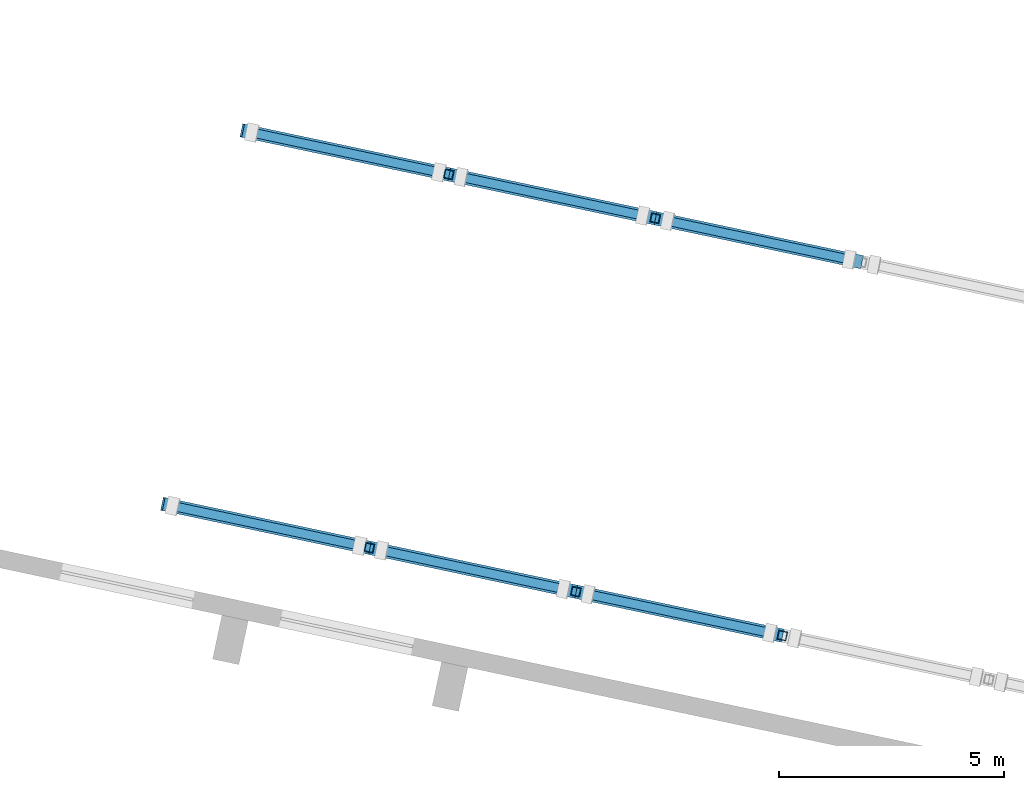
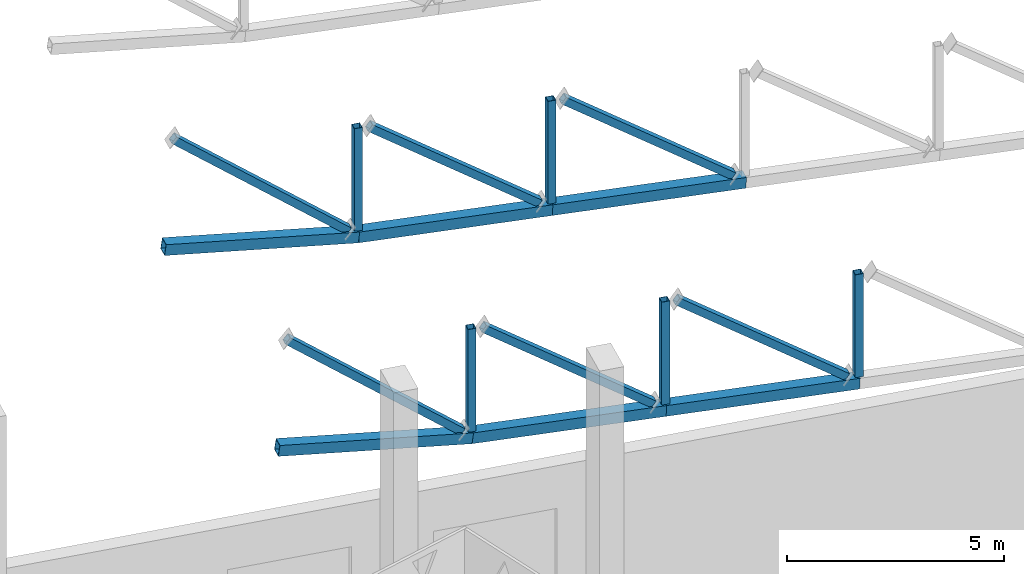
# One storey, part 59 of 182: 17 members.
"""IFC4 building model written with IfcOpenShell, lengths in metres."""

from ifc_helpers import new_model, si_unit, direction, frame, origin, origin_2d, place, context, subcontext, project, spatial, hollow_rectangle, extrude, material, material_profile, profile_set, type_object, element, save


model = new_model("IFC4")

# Units and contexts
model_context = context("Model", 3, precision=1e-05, world=origin(), true_north=direction((0.0, 1.0)))
body_context = subcontext(model_context, "Body", "Model", "MODEL_VIEW")
ifc_project = project(units=[si_unit("LENGTHUNIT", "METRE"), si_unit("AREAUNIT", "SQUARE_METRE"), si_unit("VOLUMEUNIT", "CUBIC_METRE"), si_unit("PLANEANGLEUNIT", "RADIAN"), si_unit("MASSUNIT", "GRAM", prefix="KILO")], contexts=[model_context])

# Site, building, storey
site_placement = place(None, origin())
site = spatial("IfcSite", under=ifc_project, at=site_placement, CompositionType="ELEMENT")
building_placement = place(site_placement, origin())
building = spatial("IfcBuilding", under=site, at=building_placement, Name="Okhra Congress Centre", CompositionType="ELEMENT")
storey_placement = place(building_placement, frame((0.0, 0.0, 7.199951171875)))
storey = spatial("IfcBuildingStorey", under=building, at=storey_placement, Name="L01", CompositionType="ELEMENT", Elevation=7.199951171875)

# Members
ifc_material = material(Name="Steel S355J2", Category="steel")
ifc_material_profile_1 = material_profile(ifc_material, hollow_rectangle(XDim=0.300048828125, YDim=0.300048828125, WallThickness=0.01611328125, at=origin_2d()), Name="RHS 300x300x16")
ifc_profile_set_1 = profile_set([ifc_material_profile_1], Name="Steel S355J2")
member_type_1 = type_object("IfcMemberType", Name="Steel truss chord RHS 300x300x16", PredefinedType="CHORD", material=ifc_profile_set_1)
member_1_placement = place(storey_placement, frame((213.741455078125, 92.74267578125, 5.2041015625), z_axis=(0.968629274242, -0.205906376974, -0.139139832554), x_axis=(0.207928955205, 0.978143930916, 0.0)))
element("IfcMember", 1, at=member_1_placement, inside=storey, type_object=member_type_1, Name="Hall truss 1 bottom chord 4", PredefinedType="CHORD", context=body_context, shape_type="SweptSolid", body=[
    extrude(hollow_rectangle(XDim=0.300048828125, YDim=0.300048828125, WallThickness=0.01611328125, at=origin_2d()), origin(), (0.0, 0.0, 1.0), 4.746337890625),
])
member_2_placement = place(storey_placement, frame((218.3388671875, 91.765380859375, 4.543701171875), z_axis=(0.976813785854, -0.20759432696, -0.052339499226), x_axis=(0.207879256857, 0.978154494223, 0.0)))
element("IfcMember", 2, at=member_2_placement, inside=storey, type_object=member_type_1, Name="Hall truss 1 bottom chord 5", PredefinedType="CHORD", context=body_context, shape_type="SweptSolid", body=[
    extrude(hollow_rectangle(XDim=0.300048828125, YDim=0.300048828125, WallThickness=0.01611328125, at=origin_2d()), origin(), (0.0, 0.0, 1.0), 4.70654296875),
])
member_3_placement = place(storey_placement, frame((222.936279296875, 90.788330078125, 4.29736328125), z_axis=(0.976800887128, -0.207654484927, -0.052341587632), x_axis=(0.207939520185, 0.978141685005, 0.0)))
element("IfcMember", 3, at=member_3_placement, inside=storey, type_object=member_type_1, Name="Hall truss 1 bottom chord 6", PredefinedType="CHORD", context=body_context, shape_type="SweptSolid", body=[
    extrude(hollow_rectangle(XDim=0.300048828125, YDim=0.300048828125, WallThickness=0.01611328125, at=origin_2d()), origin(), (0.0, 0.0, 1.0), 4.706298828125),
])
member_4_placement = place(storey_placement, frame((215.5087890625, 101.056884765625, 5.2041015625), z_axis=(0.968639532279, -0.205857119015, -0.139141306081), x_axis=(0.207879256857, 0.978154494223, 0.0)))
element("IfcMember", 4, at=member_4_placement, inside=storey, type_object=member_type_1, Name="Hall truss 2 bottom chord 4", PredefinedType="CHORD", context=body_context, shape_type="SweptSolid", body=[
    extrude(hollow_rectangle(XDim=0.300048828125, YDim=0.300048828125, WallThickness=0.01611328125, at=origin_2d()), origin(), (0.0, 0.0, 1.0), 4.746337890625),
])
member_5_placement = place(storey_placement, frame((220.106201171875, 100.079833984375, 4.543701171875), z_axis=(0.976800887128, -0.207654484927, -0.052341587632), x_axis=(0.207939520185, 0.978141685005, 0.0)))
element("IfcMember", 5, at=member_5_placement, inside=storey, type_object=member_type_1, Name="Hall truss 2 bottom chord 5", PredefinedType="CHORD", context=body_context, shape_type="SweptSolid", body=[
    extrude(hollow_rectangle(XDim=0.300048828125, YDim=0.300048828125, WallThickness=0.01611328125, at=origin_2d()), origin(), (0.0, 0.0, 1.0), 4.706298828125),
])
member_6_placement = place(storey_placement, frame((224.703369140625, 99.1025390625, 4.29736328125), z_axis=(0.976813785854, -0.20759432696, -0.052339499226), x_axis=(0.207879256857, 0.978154494223, 0.0)))
element("IfcMember", 6, at=member_6_placement, inside=storey, type_object=member_type_1, Name="Hall truss 2 bottom chord 6", PredefinedType="CHORD", context=body_context, shape_type="SweptSolid", body=[
    extrude(hollow_rectangle(XDim=0.300048828125, YDim=0.300048828125, WallThickness=0.01611328125, at=origin_2d()), origin(), (0.0, 0.0, 1.0), 4.70654296875),
])
ifc_material_profile_2 = material_profile(ifc_material, hollow_rectangle(XDim=0.199951171875, YDim=0.199951171875, WallThickness=0.010009765625, at=origin_2d()), Name="RHS 200x200x10 diagonal")
ifc_profile_set_2 = profile_set([ifc_material_profile_2], Name="Steel S355J2")
member_type_2 = type_object("IfcMemberType", Name="Steel truss diagonal RHS 200x200x10", PredefinedType="BRACE", material=ifc_profile_set_2)
member_7_placement = place(storey_placement, frame((213.965087890625, 92.695068359375, 8.216552734375), z_axis=(0.755850558635, -0.160649924604, -0.634729497295), x_axis=(0.207897982731, 0.978150514377, 0.0)))
element("IfcMember", 7, at=member_7_placement, inside=storey, type_object=member_type_2, Name="Hall truss 1 diagonal 4", PredefinedType="BRACE", context=body_context, shape_type="SweptSolid", body=[
    extrude(hollow_rectangle(XDim=0.199951171875, YDim=0.199951171875, WallThickness=0.010009765625, at=origin_2d()), origin(), (0.0, 0.0, 1.0), 5.49072265625),
])
member_8_placement = place(storey_placement, frame((218.622314453125, 91.705322265625, 7.531005859375), z_axis=(0.788834062025, -0.167677412385, -0.591291051823), x_axis=(0.2079182829, 0.97814619952, 0.0)))
element("IfcMember", 8, at=member_8_placement, inside=storey, type_object=member_type_2, Name="Hall truss 1 diagonal 5", PredefinedType="BRACE", context=body_context, shape_type="SweptSolid", body=[
    extrude(hollow_rectangle(XDim=0.199951171875, YDim=0.199951171875, WallThickness=0.010009765625, at=origin_2d()), origin(), (0.0, 0.0, 1.0), 5.109130859375),
])
member_9_placement = place(storey_placement, frame((223.2197265625, 90.72802734375, 7.284912109375), z_axis=(0.788811773706, -0.167672674699, -0.591322128642), x_axis=(0.2079182829, 0.97814619952, 0.0)))
element("IfcMember", 9, at=member_9_placement, inside=storey, type_object=member_type_2, Name="Hall truss 1 diagonal 6", PredefinedType="BRACE", context=body_context, shape_type="SweptSolid", body=[
    extrude(hollow_rectangle(XDim=0.199951171875, YDim=0.199951171875, WallThickness=0.010009765625, at=origin_2d()), origin(), (0.0, 0.0, 1.0), 5.109375),
])
member_10_placement = place(storey_placement, frame((215.732421875, 101.009521484375, 8.216552734375), z_axis=(0.75584515875, -0.160693240998, -0.634724962713), x_axis=(0.207953036353, 0.978138811556, 0.0)))
element("IfcMember", 10, at=member_10_placement, inside=storey, type_object=member_type_2, Name="Hall truss 2 diagonal 4", PredefinedType="BRACE", context=body_context, shape_type="SweptSolid", body=[
    extrude(hollow_rectangle(XDim=0.199951171875, YDim=0.199951171875, WallThickness=0.010009765625, at=origin_2d()), origin(), (0.0, 0.0, 1.0), 5.49072265625),
])
for number, where, z_axis, x_axis, name in (
    (11, (220.3896484375, 100.01953125, 7.531005859375), (0.788834062025, -0.167677412385, -0.591291051823), (0.2079182829, 0.97814619952, 0.0), "Hall truss 2 diagonal 5"),
    (12, (224.987060546875, 99.042236328125, 7.284912109375), (0.788793721187, -0.167678994829, -0.591344417501), (0.207930334102, 0.978143637796, 0.0), "Hall truss 2 diagonal 6"),
):
    element("IfcMember", number, at=place(storey_placement, frame(where, z_axis=z_axis, x_axis=x_axis)), inside=storey, type_object=member_type_2, Name=name, PredefinedType="BRACE", context=body_context, shape_type="SweptSolid", body=[
        extrude(hollow_rectangle(XDim=0.199951171875, YDim=0.199951171875, WallThickness=0.010009765625, at=origin_2d()), origin(), (0.0, 0.0, 1.0), 5.109130859375),
    ])
ifc_material_profile_3 = material_profile(ifc_material, hollow_rectangle(XDim=0.199951171875, YDim=0.199951171875, WallThickness=0.010009765625, at=origin_2d()), Name="RHS 200x200x10")
ifc_profile_set_3 = profile_set([ifc_material_profile_3], Name="Steel S355J2")
member_type_3 = type_object("IfcMemberType", Name="Steel truss post RHS 200x200x10", PredefinedType="POST", material=ifc_profile_set_3)
for number, where, z_axis, x_axis, name in (
    (13, (218.3388671875, 91.765380859375, 4.69384765625), (0.0, 0.0, 1.0), (0.978147600734, -0.207911690818, 0.0), "Hall truss 1 post 5"),
    (14, (222.936279296875, 90.788330078125, 4.447509765625), (0.0, 0.0, 1.0), (0.978147600734, -0.207911690818, 0.0), "Hall truss 1 post 6"),
    (15, (227.533447265625, 89.81103515625, 4.201171875), (0.0, 0.0, 1.0), (0.978147600734, -0.207911690818, 0.0), "Hall truss 1 post 7"),
    (16, (220.106201171875, 100.079833984375, 4.69384765625), (0.0, 0.0, 1.0), (0.978147600734, -0.207911690818, 0.0), "Hall truss 2 post 5"),
    (17, (224.703369140625, 99.1025390625, 4.447509765625), (0.0, 0.0, 1.0), (0.978147600734, -0.207911690818, 0.0), "Hall truss 2 post 6"),
):
    element("IfcMember", number, at=place(storey_placement, frame(where, z_axis=z_axis, x_axis=x_axis)), inside=storey, type_object=member_type_3, Name=name, PredefinedType="POST", context=body_context, shape_type="SweptSolid", body=[
        extrude(hollow_rectangle(XDim=0.199951171875, YDim=0.199951171875, WallThickness=0.010009765625, at=origin_2d()), origin(), (0.0, 0.0, 1.0), 2.899658203125),
    ])

save(model, "model.ifc")
